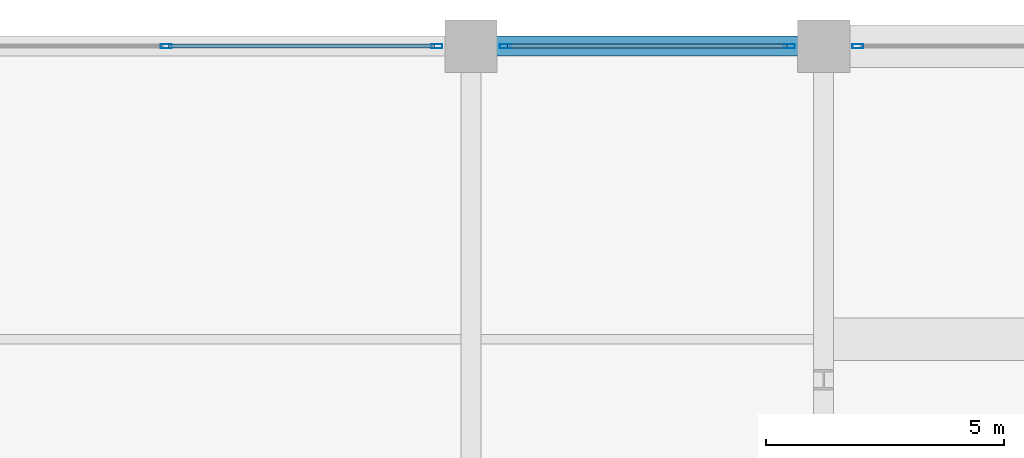
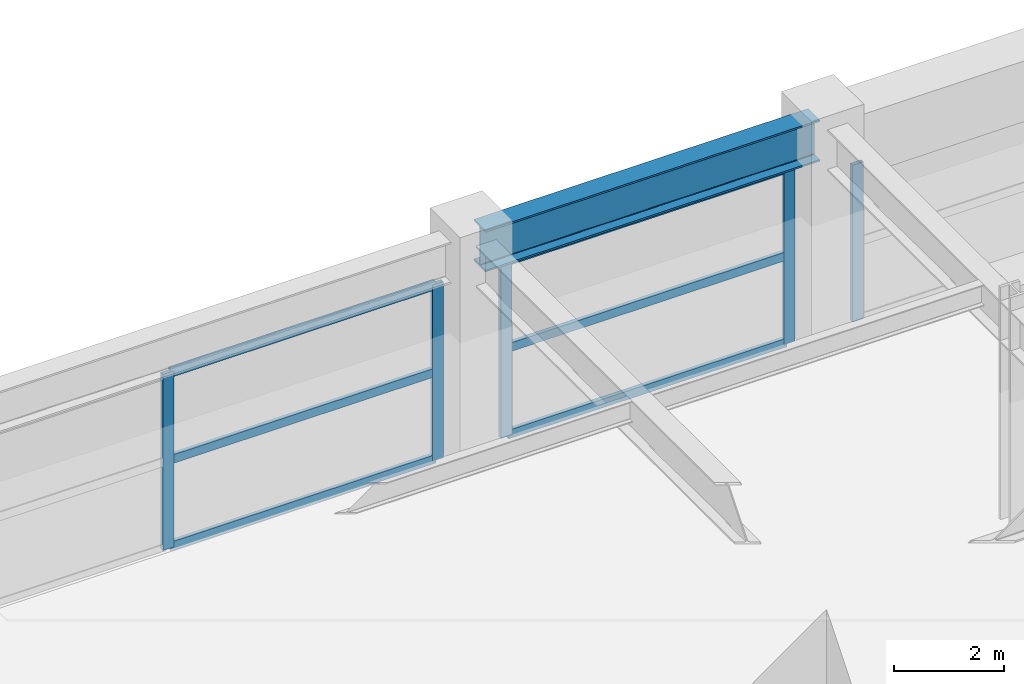
# One storey, part 17 of 45: 11 members, 1 beam, 3 elements without a shape of their own.
"""IFC4 building model written with IfcOpenShell, lengths in metres."""

from ifc_helpers import new_model, si_unit, direction, frame, origin, origin_2d, place, context, subcontext, project, spatial, hollow_rectangle, i_section, extrude, material, material_profile, profile_set, type_object, element, aggregate, save


model = new_model("IFC4")

# Units and contexts
model_context = context("Model", 3, precision=1e-05, world=origin(), true_north=direction((0.0, 1.0)))
body_context = subcontext(model_context, "Body", "Model", "MODEL_VIEW")
ifc_project = project(units=[si_unit("LENGTHUNIT", "METRE"), si_unit("AREAUNIT", "SQUARE_METRE"), si_unit("VOLUMEUNIT", "CUBIC_METRE"), si_unit("PLANEANGLEUNIT", "RADIAN"), si_unit("MASSUNIT", "GRAM", prefix="KILO")], contexts=[model_context])

# Site, building, storey
site_placement = place(None, origin())
site = spatial("IfcSite", under=ifc_project, at=site_placement, CompositionType="ELEMENT")
building_placement = place(site_placement, origin())
building = spatial("IfcBuilding", under=site, at=building_placement, Name="Kovane Verandah Tower", CompositionType="ELEMENT")
storey_placement = place(building_placement, frame((0.0, 0.0, 6.0)))
storey = spatial("IfcBuildingStorey", under=building, at=storey_placement, Name="L01", CompositionType="ELEMENT", Elevation=6.0)

# Beam
ifc_material_1 = material(Name="Steel S460", Category="steel")
ifc_material_profile_1 = material_profile(ifc_material_1, i_section(OverallWidth=0.42041015625, OverallDepth=0.9208984375, WebThickness=0.021484375, FlangeThickness=0.03662109375, FilletRadius=0.024169921875, at=origin_2d()), Name="UB914x419x388")
ifc_profile_set_1 = profile_set([ifc_material_profile_1], Name="Steel S460")
beam_type = type_object("IfcBeamType", Name="BM-UB914x388", PredefinedType="BEAM", material=ifc_profile_set_1)
beam_placement = place(storey_placement, frame((21.780029296875, 56.5, 4.439453125), z_axis=(1.0, 0.0, 0.0), x_axis=(0.0, 1.0, 0.0)))
element("IfcBeam", 1, at=beam_placement, inside=storey, type_object=beam_type, Name="L01 Podium Grid Girder X19", PredefinedType="BEAM", context=body_context, shape_type="SweptSolid", body=[
    extrude(i_section(OverallWidth=0.42041015625, OverallDepth=0.9208984375, WebThickness=0.021484375, FlangeThickness=0.03662109375, FilletRadius=0.024169921875, at=origin_2d()), origin(), (0.0, 0.0, 1.0), 7.0400390625),
])

# Curtain wall, members
ifc_material_2 = material(Name="Champagne Anodised Aluminium Frame with Low-E Clear Laminated Glass", Category="aluminium")
curtain_wall_type = type_object("IfcCurtainWallType", Name="CW-SYS-01-POD", PredefinedType="NOTDEFINED", material=ifc_material_2)
curtain_wall_1_placement = place(storey_placement, origin())
curtain_wall_1 = element("IfcCurtainWall", 2, at=curtain_wall_1_placement, inside=storey, type_object=curtain_wall_type, Name="L01 North Podium Curtain Wall Bay 2", PredefinedType="NOTDEFINED")
ifc_material_3 = material(Name="Champagne Anodised Aluminium 6063-T6", Category="aluminium")
ifc_material_profile_2 = material_profile(ifc_material_3, hollow_rectangle(XDim=0.0849609375, YDim=0.22998046875, WallThickness=0.00390625, at=origin_2d()), Name="AL85x230x4")
ifc_profile_set_2 = profile_set([ifc_material_profile_2], Name="Champagne Anodised Aluminium 6063-T6")
member_type_1 = type_object("IfcMemberType", Name="CW-MUL-85x230", PredefinedType="MULLION", material=ifc_profile_set_2)
member_1_placement = place(storey_placement, frame((20.8798828125, 56.5, 0.02001953125), z_axis=(0.0, 0.0, 1.0), x_axis=(0.0, 1.0, 0.0)))
member_1 = element("IfcMember", 3, at=member_1_placement, type_object=member_type_1, Name="L01 North Podium Curtain Wall Bay 2 Mullion 1", PredefinedType="MULLION", context=body_context, shape_type="SweptSolid", body=[
    extrude(hollow_rectangle(XDim=0.0849609375, YDim=0.22998046875, WallThickness=0.00390625, at=origin_2d()), origin(), (0.0, 0.0, 1.0), 3.9189453125),
])
member_2_placement = place(storey_placement, frame((15.199951171875, 56.5, 0.02001953125), z_axis=(0.0, 0.0, 1.0), x_axis=(0.0, 1.0, 0.0)))
member_2 = element("IfcMember", 4, at=member_2_placement, type_object=member_type_1, Name="L01 North Podium Curtain Wall Bay 2 Mullion 2", PredefinedType="MULLION", context=body_context, shape_type="SweptSolid", body=[
    extrude(hollow_rectangle(XDim=0.0849609375, YDim=0.22998046875, WallThickness=0.00390625, at=origin_2d()), origin(), (0.0, 0.0, 1.0), 3.9189453125),
])

curtain_wall_2_placement = place(storey_placement, origin())
curtain_wall_2 = element("IfcCurtainWall", 5, at=curtain_wall_2_placement, inside=storey, type_object=curtain_wall_type, Name="L01 North Podium Curtain Wall Bay 3", PredefinedType="NOTDEFINED")
member_3_placement = place(storey_placement, frame((28.280029296875, 56.5, 0.02001953125), z_axis=(0.0, 0.0, 1.0), x_axis=(0.0, 1.0, 0.0)))
member_3 = element("IfcMember", 6, at=member_3_placement, type_object=member_type_1, Name="L01 North Podium Curtain Wall Bay 3 Mullion 1", PredefinedType="MULLION", context=body_context, shape_type="SweptSolid", body=[
    extrude(hollow_rectangle(XDim=0.0849609375, YDim=0.22998046875, WallThickness=0.00390625, at=origin_2d()), origin(), (0.0, 0.0, 1.0), 3.9189453125),
])
member_4_placement = place(storey_placement, frame((22.320068359375, 56.5, 0.02001953125), z_axis=(0.0, 0.0, 1.0), x_axis=(0.0, 1.0, 0.0)))
member_4 = element("IfcMember", 7, at=member_4_placement, type_object=member_type_1, Name="L01 North Podium Curtain Wall Bay 3 Mullion 2", PredefinedType="MULLION", context=body_context, shape_type="SweptSolid", body=[
    extrude(hollow_rectangle(XDim=0.0849609375, YDim=0.22998046875, WallThickness=0.00390625, at=origin_2d()), origin(), (0.0, 0.0, 1.0), 3.9189453125),
])

# Curtain wall, member
curtain_wall_3_placement = place(storey_placement, origin())
curtain_wall_3 = element("IfcCurtainWall", 8, at=curtain_wall_3_placement, inside=storey, type_object=curtain_wall_type, Name="L01 North Podium Curtain Wall Bay 4", PredefinedType="NOTDEFINED")
member_5_placement = place(storey_placement, frame((29.719970703125, 56.5, 0.02001953125), z_axis=(0.0, 0.0, 1.0), x_axis=(0.0, 1.0, 0.0)))
member_5 = element("IfcMember", 9, at=member_5_placement, type_object=member_type_1, Name="L01 North Podium Curtain Wall Bay 4 Mullion 5", PredefinedType="MULLION", context=body_context, shape_type="SweptSolid", body=[
    extrude(hollow_rectangle(XDim=0.0849609375, YDim=0.22998046875, WallThickness=0.00390625, at=origin_2d()), origin(), (0.0, 0.0, 1.0), 3.489990234375),
])
aggregate(curtain_wall_3, [member_5])

# Member
ifc_material_profile_3 = material_profile(ifc_material_3, hollow_rectangle(XDim=0.0849609375, YDim=0.18994140625, WallThickness=0.00390625, at=origin_2d()), Name="AL85x190x4")
ifc_profile_set_3 = profile_set([ifc_material_profile_3], Name="Champagne Anodised Aluminium 6063-T6")
member_type_2 = type_object("IfcMemberType", Name="CW-TRN-85x190", PredefinedType="USERDEFINED", material=ifc_profile_set_3)
member_6_placement = place(storey_placement, frame((20.830078125, 56.5, 0.050048828125), z_axis=(-1.0, 0.0, 0.0), x_axis=(0.0, -1.0, 0.0)))
member_6 = element("IfcMember", 10, at=member_6_placement, type_object=member_type_2, Name="L01 North Podium Curtain Wall Bay 2 Transom TB Bay 1", ObjectType="TRANSOM", PredefinedType="USERDEFINED", context=body_context, shape_type="SweptSolid", body=[
    extrude(hollow_rectangle(XDim=0.0849609375, YDim=0.18994140625, WallThickness=0.00390625, at=origin_2d()), origin(), (0.0, 0.0, 1.0), 5.580078125),
])

member_7_placement = place(storey_placement, frame((20.830078125, 56.5, 1.9794921875), z_axis=(-1.0, 0.0, 0.0), x_axis=(0.0, -1.0, 0.0)))
member_7 = element("IfcMember", 11, at=member_7_placement, type_object=member_type_2, Name="L01 North Podium Curtain Wall Bay 2 Transom TM Bay 1", ObjectType="TRANSOM", PredefinedType="USERDEFINED", context=body_context, shape_type="SweptSolid", body=[
    extrude(hollow_rectangle(XDim=0.0849609375, YDim=0.18994140625, WallThickness=0.00390625, at=origin_2d()), origin(), (0.0, 0.0, 1.0), 5.580078125),
])

member_8_placement = place(storey_placement, frame((20.830078125, 56.5, 3.908935546875), z_axis=(-1.0, 0.0, 0.0), x_axis=(0.0, -1.0, 0.0)))
member_8 = element("IfcMember", 12, at=member_8_placement, type_object=member_type_2, Name="L01 North Podium Curtain Wall Bay 2 Transom TT Bay 1", ObjectType="TRANSOM", PredefinedType="USERDEFINED", context=body_context, shape_type="SweptSolid", body=[
    extrude(hollow_rectangle(XDim=0.0849609375, YDim=0.18994140625, WallThickness=0.00390625, at=origin_2d()), origin(), (0.0, 0.0, 1.0), 5.580078125),
])

aggregate(curtain_wall_1, [member_1, member_2, member_6, member_7, member_8])

member_9_placement = place(storey_placement, frame((28.22998046875, 56.5, 0.050048828125), z_axis=(-1.0, 0.0, 0.0), x_axis=(0.0, -1.0, 0.0)))
member_9 = element("IfcMember", 13, at=member_9_placement, type_object=member_type_2, Name="L01 North Podium Curtain Wall Bay 3 Transom TB Bay 1", ObjectType="TRANSOM", PredefinedType="USERDEFINED", context=body_context, shape_type="SweptSolid", body=[
    extrude(hollow_rectangle(XDim=0.0849609375, YDim=0.18994140625, WallThickness=0.00390625, at=origin_2d()), origin(), (0.0, 0.0, 1.0), 5.85986328125),
])

member_10_placement = place(storey_placement, frame((28.22998046875, 56.5, 1.9794921875), z_axis=(-1.0, 0.0, 0.0), x_axis=(0.0, -1.0, 0.0)))
member_10 = element("IfcMember", 14, at=member_10_placement, type_object=member_type_2, Name="L01 North Podium Curtain Wall Bay 3 Transom TM Bay 1", ObjectType="TRANSOM", PredefinedType="USERDEFINED", context=body_context, shape_type="SweptSolid", body=[
    extrude(hollow_rectangle(XDim=0.0849609375, YDim=0.18994140625, WallThickness=0.00390625, at=origin_2d()), origin(), (0.0, 0.0, 1.0), 5.85986328125),
])

member_11_placement = place(storey_placement, frame((28.22998046875, 56.5, 3.908935546875), z_axis=(-1.0, 0.0, 0.0), x_axis=(0.0, -1.0, 0.0)))
member_11 = element("IfcMember", 15, at=member_11_placement, type_object=member_type_2, Name="L01 North Podium Curtain Wall Bay 3 Transom TT Bay 1", ObjectType="TRANSOM", PredefinedType="USERDEFINED", context=body_context, shape_type="SweptSolid", body=[
    extrude(hollow_rectangle(XDim=0.0849609375, YDim=0.18994140625, WallThickness=0.00390625, at=origin_2d()), origin(), (0.0, 0.0, 1.0), 5.85986328125),
])

aggregate(curtain_wall_2, [member_3, member_4, member_9, member_10, member_11])

save(model, "model.ifc")
